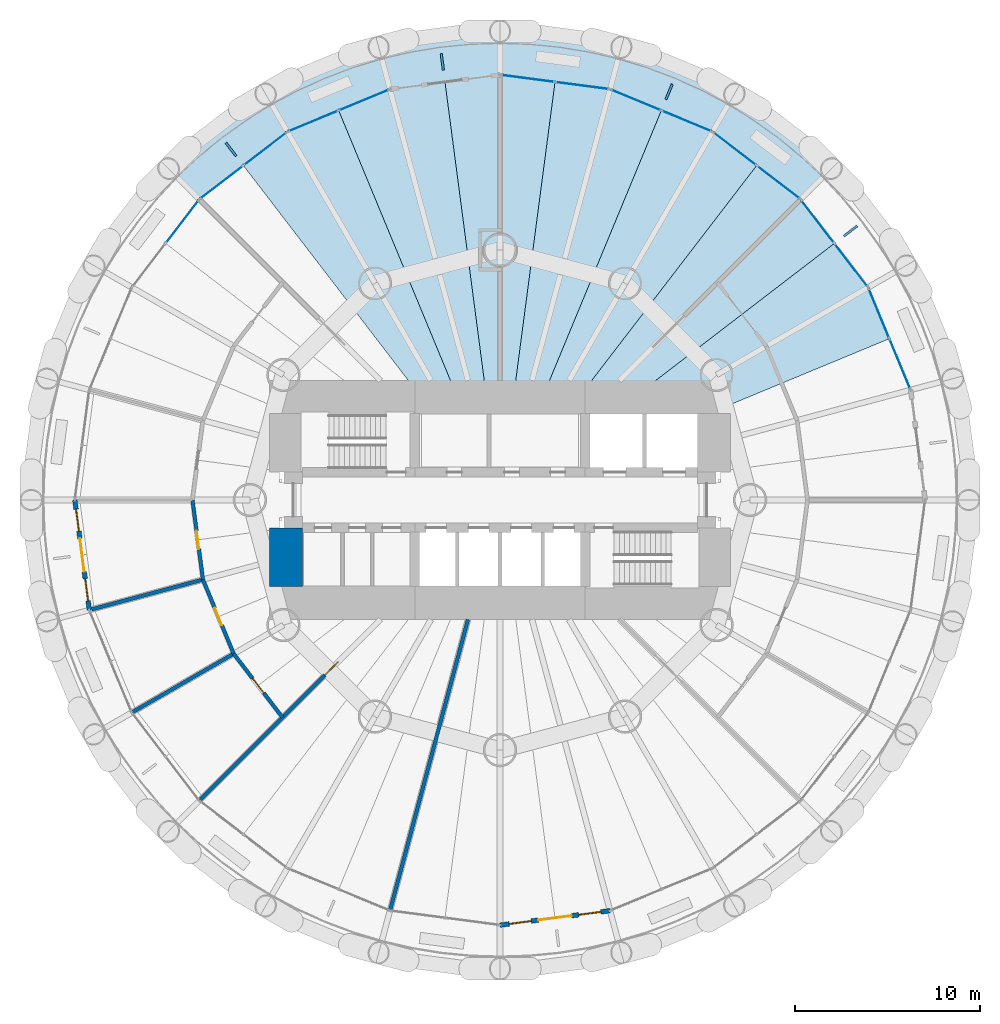
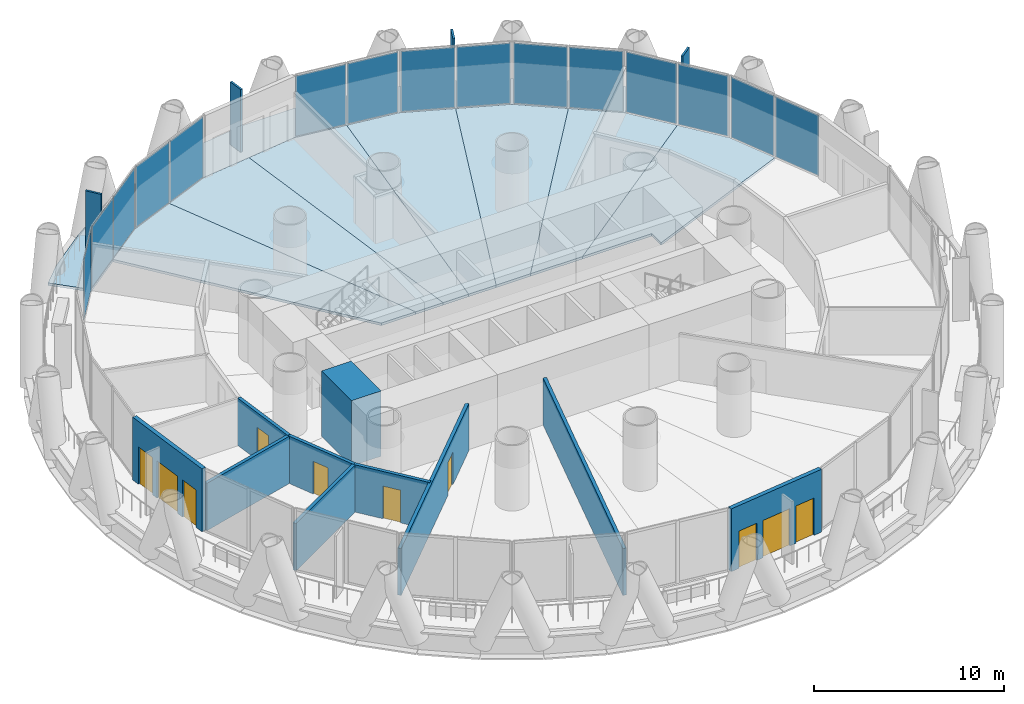
# One storey, part 9 of 16: 19 plates, 10 walls, 8 slabs, 6 doors, 4 windows, 10 openings, 8 elements without a shape of their own.
"""IFC4 building model written with IfcOpenShell, lengths in metres."""

from ifc_helpers import new_model, si_unit, direction, frame, frame_2d, origin, origin_2d, place, context, subcontext, project, spatial, polyline, rectangle, outline, extrude, material, layer, layer_set, type_object, element, fill, aggregate, save


model = new_model("IFC4")

# Units and contexts
model_context = context("Model", 3, precision=1e-05, world=origin(), true_north=direction((0.0, 1.0)))
body_context = subcontext(model_context, "Body", "Model", "MODEL_VIEW")
ifc_project = project(units=[si_unit("LENGTHUNIT", "METRE"), si_unit("AREAUNIT", "SQUARE_METRE"), si_unit("VOLUMEUNIT", "CUBIC_METRE"), si_unit("PLANEANGLEUNIT", "RADIAN"), si_unit("MASSUNIT", "GRAM", prefix="KILO")], contexts=[model_context])

# Site, building, storey
site_placement = place(None, origin())
site = spatial("IfcSite", under=ifc_project, at=site_placement, CompositionType="ELEMENT")
building_placement = place(site_placement, origin())
building = spatial("IfcBuilding", under=site, at=building_placement, Name="Qaws Media Tower", CompositionType="ELEMENT")
storey_placement = place(building_placement, frame((0.0, 0.0, 105.800048828125)))
storey = spatial("IfcBuildingStorey", under=building, at=storey_placement, Name="L23", CompositionType="ELEMENT", Elevation=105.800048828125)

# Slabs
ifc_material_1 = material(Name="Concrete C35/45", Category="concrete")
ifc_layer_1 = layer(ifc_material_1, 0.159912109375)
ifc_layer_set_1 = layer_set([ifc_layer_1], Name="Composite balcony slab 160")
slab_type_1 = type_object("IfcSlabType", Name="Composite balcony slab 160", PredefinedType="FLOOR", material=ifc_layer_set_1)
slab_1_placement = place(storey_placement, frame((0.0, 0.0, -0.16015625)))
element("IfcSlab", 1, at=slab_1_placement, inside=storey, type_object=slab_type_1, Name="S2 balcony slab L23 R04 to R10, movement joints on R04 and R10", PredefinedType="FLOOR", context=body_context, shape_type="SweptSolid", body=[
    extrude(outline(polyline([(43.28564453125, 69.05908203125), (45.916259765625, 71.077880859375), (48.7880859375, 72.735595703125), (51.8515625, 74.004638671875), (55.054443359375, 74.86279296875), (58.342041015625, 75.295654296875), (61.657958984375, 75.295654296875), (64.945556640625, 74.86279296875), (68.1484375, 74.004638671875), (71.2119140625, 72.735595703125), (74.083740234375, 71.077880859375), (76.71435546875, 69.05908203125), (77.88671875, 67.88671875), (76.22802734375, 66.22802734375), (71.47509765625, 69.875244140625), (65.93994140625, 72.16796875), (60.0, 72.949951171875), (54.06005859375, 72.16796875), (48.52490234375, 69.875244140625), (43.77197265625, 66.22802734375), (42.11328125, 67.88671875), (43.28564453125, 69.05908203125)])), origin(), (0.0, 0.0, 1.0), 0.16015625),
])
ifc_material_2 = material(Name="Concrete C35/45", Category="concrete")
ifc_layer_2 = layer(ifc_material_2, 0.159912109375)
ifc_layer_set_2 = layer_set([ifc_layer_2], Name="Composite floor slab 160")
slab_type_2 = type_object("IfcSlabType", Name="Composite floor slab 160", PredefinedType="FLOOR", material=ifc_layer_set_2)
slab_2_placement = place(storey_placement, frame((0.0, 0.0, -0.16015625)))
element("IfcSlab", 2, at=slab_2_placement, inside=storey, type_object=slab_type_2, Name="S1 floor panel L23 on R03", PredefinedType="FLOOR", context=body_context, shape_type="SweptSolid", body=[
    extrude(outline(polyline([(79.875244140625, 61.47509765625), (81.021484375, 58.70751953125), (71.909912109375, 54.933349609375), (71.909912109375, 55.909912109375), (67.7021484375, 55.909912109375), (78.0517578125, 63.8515625), (79.875244140625, 61.47509765625)])), origin(), (0.0, 0.0, 1.0), 0.16015625),
])
slab_3_placement = place(storey_placement, frame((0.0, 0.0, -0.16015625)))
element("IfcSlab", 3, at=slab_3_placement, inside=storey, type_object=slab_type_2, Name="S1 floor panel L23 on R04", PredefinedType="FLOOR", context=body_context, shape_type="SweptSolid", body=[
    extrude(outline(polyline([(76.22802734375, 66.22802734375), (78.0517578125, 63.8515625), (67.7021484375, 55.909912109375), (64.534912109375, 55.909912109375), (73.8515625, 68.0517578125), (76.22802734375, 66.22802734375)])), origin(), (0.0, 0.0, 1.0), 0.16015625),
])
slab_4_placement = place(storey_placement, frame((0.0, 0.0, -0.16015625)))
element("IfcSlab", 4, at=slab_4_placement, inside=storey, type_object=slab_type_2, Name="S1 floor panel L23 on R05", PredefinedType="FLOOR", context=body_context, shape_type="SweptSolid", body=[
    extrude(outline(polyline([(71.47509765625, 69.875244140625), (73.8515625, 68.0517578125), (64.534912109375, 55.909912109375), (62.447998046875, 55.909912109375), (68.70751953125, 71.021484375), (71.47509765625, 69.875244140625)])), origin(), (0.0, 0.0, 1.0), 0.16015625),
])
slab_5_placement = place(storey_placement, frame((0.0, 0.0, -0.16015625)))
element("IfcSlab", 5, at=slab_5_placement, inside=storey, type_object=slab_type_2, Name="S1 floor panel L23 on R06", PredefinedType="FLOOR", context=body_context, shape_type="SweptSolid", body=[
    extrude(outline(polyline([(65.93994140625, 72.16796875), (68.70751953125, 71.021484375), (62.447998046875, 55.909912109375), (60.778076171875, 55.909912109375), (62.969970703125, 72.55908203125), (65.93994140625, 72.16796875)])), origin(), (0.0, 0.0, 1.0), 0.16015625),
])
slab_6_placement = place(storey_placement, frame((0.0, 0.0, -0.16015625)))
element("IfcSlab", 6, at=slab_6_placement, inside=storey, type_object=slab_type_2, Name="S1 floor panel L23 on R07", PredefinedType="FLOOR", context=body_context, shape_type="SweptSolid", body=[
    extrude(outline(polyline([(60.0, 72.949951171875), (62.969970703125, 72.55908203125), (60.778076171875, 55.909912109375), (59.221923828125, 55.909912109375), (57.030029296875, 72.55908203125), (60.0, 72.949951171875)])), origin(), (0.0, 0.0, 1.0), 0.16015625),
])
slab_7_placement = place(storey_placement, frame((0.0, 0.0, -0.16015625)))
element("IfcSlab", 7, at=slab_7_placement, inside=storey, type_object=slab_type_2, Name="S1 floor panel L23 on R08", PredefinedType="FLOOR", context=body_context, shape_type="SweptSolid", body=[
    extrude(outline(polyline([(54.06005859375, 72.16796875), (57.030029296875, 72.55908203125), (59.221923828125, 55.909912109375), (57.552001953125, 55.909912109375), (51.29248046875, 71.021484375), (54.06005859375, 72.16796875)])), origin(), (0.0, 0.0, 1.0), 0.16015625),
])
slab_8_placement = place(storey_placement, frame((0.0, 0.0, -0.16015625)))
element("IfcSlab", 8, at=slab_8_placement, inside=storey, type_object=slab_type_2, Name="S1 floor panel L23 on R09", PredefinedType="FLOOR", context=body_context, shape_type="SweptSolid", body=[
    extrude(outline(polyline([(48.52490234375, 69.875244140625), (51.29248046875, 71.021484375), (57.552001953125, 55.909912109375), (55.465087890625, 55.909912109375), (46.1484375, 68.0517578125), (48.52490234375, 69.875244140625)])), origin(), (0.0, 0.0, 1.0), 0.16015625),
])

# Curtain wall, plates
ifc_material_3 = material(Name="Aluminium and clear glass", Category="aluminium")
curtain_wall_type = type_object("IfcCurtainWallType", Name="Unitised curtain wall CW-B", PredefinedType="NOTDEFINED", material=ifc_material_3)
curtain_wall_1_placement = place(storey_placement, origin())
curtain_wall_1 = element("IfcCurtainWall", 9, at=curtain_wall_1_placement, inside=storey, type_object=curtain_wall_type, Name="CWB curtain wall L23-02", PredefinedType="NOTDEFINED")
ifc_material_4 = material(Name="Clear laminated double glazing", Category="glass")
ifc_layer_3 = layer(ifc_material_4, 0.031982421875)
ifc_layer_set_3 = layer_set([ifc_layer_3], Name="Curtain wall glass unit 32")
plate_type_1 = type_object("IfcPlateType", Name="Curtain wall glass unit 32", PredefinedType="CURTAIN_PANEL", material=ifc_layer_set_3)
plate_1_placement = place(storey_placement, frame((81.587158203125, 57.342041015625, 0.080078125), z_axis=(0.0, 0.0, 1.0), x_axis=(-0.382683470581, 0.923879516682, 0.0)))
plate_1 = element("IfcPlate", 10, at=plate_1_placement, type_object=plate_type_1, Name="CWB panel 1.1", PredefinedType="CURTAIN_PANEL", context=body_context, shape_type="SweptSolid", body=[
    extrude(rectangle(XDim=2.87548828125, YDim=0.031982421875, at=origin_2d()), origin(), (0.0, 0.0, 1.0), 3.8798828125),
])
plate_2_placement = place(storey_placement, frame((80.4560546875, 60.07275390625, 0.080078125), z_axis=(0.0, 0.0, 1.0), x_axis=(-0.382683470581, 0.923879516682, 0.0)))
plate_2 = element("IfcPlate", 11, at=plate_2_placement, type_object=plate_type_1, Name="CWB panel 2.1", PredefinedType="CURTAIN_PANEL", context=body_context, shape_type="SweptSolid", body=[
    extrude(rectangle(XDim=2.87548828125, YDim=0.031982421875, at=origin_2d()), origin(), (0.0, 0.0, 1.0), 3.8798828125),
])
aggregate(curtain_wall_1, [plate_1, plate_2])

curtain_wall_2_placement = place(storey_placement, origin())
curtain_wall_2 = element("IfcCurtainWall", 12, at=curtain_wall_2_placement, inside=storey, type_object=curtain_wall_type, Name="CWB curtain wall L23-03", PredefinedType="NOTDEFINED")
plate_3_placement = place(storey_placement, frame((78.951416015625, 62.67919921875, 0.080078125), z_axis=(0.0, 0.0, 1.0), x_axis=(-0.608761358211, 0.793353394616, 0.0)))
plate_3 = element("IfcPlate", 13, at=plate_3_placement, type_object=plate_type_1, Name="CWB panel 1.1", PredefinedType="CURTAIN_PANEL", context=body_context, shape_type="SweptSolid", body=[
    extrude(rectangle(XDim=2.87548828125, YDim=0.031982421875, at=origin_2d()), origin(), (0.0, 0.0, 1.0), 3.8798828125),
])
plate_4_placement = place(storey_placement, frame((77.152099609375, 65.02392578125, 0.080078125), z_axis=(0.0, 0.0, 1.0), x_axis=(-0.608761358211, 0.793353394616, 0.0)))
plate_4 = element("IfcPlate", 14, at=plate_4_placement, type_object=plate_type_1, Name="CWB panel 2.1", PredefinedType="CURTAIN_PANEL", context=body_context, shape_type="SweptSolid", body=[
    extrude(rectangle(XDim=2.87548828125, YDim=0.031982421875, at=origin_2d()), origin(), (0.0, 0.0, 1.0), 3.8798828125),
])
aggregate(curtain_wall_2, [plate_3, plate_4])

curtain_wall_3_placement = place(storey_placement, origin())
curtain_wall_3 = element("IfcCurtainWall", 15, at=curtain_wall_3_placement, inside=storey, type_object=curtain_wall_type, Name="CWB curtain wall L23-04", PredefinedType="NOTDEFINED")
plate_5_placement = place(storey_placement, frame((75.02392578125, 67.152099609375, 0.080078125), z_axis=(0.0, 0.0, 1.0), x_axis=(-0.793353394616, 0.608761358211, 0.0)))
plate_5 = element("IfcPlate", 16, at=plate_5_placement, type_object=plate_type_1, Name="CWB panel 1.1", PredefinedType="CURTAIN_PANEL", context=body_context, shape_type="SweptSolid", body=[
    extrude(rectangle(XDim=2.87548828125, YDim=0.031982421875, at=origin_2d()), origin(), (0.0, 0.0, 1.0), 3.8798828125),
])
plate_6_placement = place(storey_placement, frame((72.67919921875, 68.951416015625, 0.080078125), z_axis=(0.0, 0.0, 1.0), x_axis=(-0.793353394616, 0.608761358211, 0.0)))
plate_6 = element("IfcPlate", 17, at=plate_6_placement, type_object=plate_type_1, Name="CWB panel 2.1", PredefinedType="CURTAIN_PANEL", context=body_context, shape_type="SweptSolid", body=[
    extrude(rectangle(XDim=2.87548828125, YDim=0.031982421875, at=origin_2d()), origin(), (0.0, 0.0, 1.0), 3.8798828125),
])
aggregate(curtain_wall_3, [plate_5, plate_6])

curtain_wall_4_placement = place(storey_placement, origin())
curtain_wall_4 = element("IfcCurtainWall", 18, at=curtain_wall_4_placement, inside=storey, type_object=curtain_wall_type, Name="CWB curtain wall L23-05", PredefinedType="NOTDEFINED")
plate_7_placement = place(storey_placement, frame((70.07275390625, 70.4560546875, 0.080078125), z_axis=(0.0, 0.0, 1.0), x_axis=(-0.923879516682, 0.382683470581, 0.0)))
plate_7 = element("IfcPlate", 19, at=plate_7_placement, type_object=plate_type_1, Name="CWB panel 1.1", PredefinedType="CURTAIN_PANEL", context=body_context, shape_type="SweptSolid", body=[
    extrude(rectangle(XDim=2.87548828125, YDim=0.031982421875, at=origin_2d()), origin(), (0.0, 0.0, 1.0), 3.8798828125),
])
plate_8_placement = place(storey_placement, frame((67.342041015625, 71.587158203125, 0.080078125), z_axis=(0.0, 0.0, 1.0), x_axis=(-0.923879516682, 0.382683470581, 0.0)))
plate_8 = element("IfcPlate", 20, at=plate_8_placement, type_object=plate_type_1, Name="CWB panel 2.1", PredefinedType="CURTAIN_PANEL", context=body_context, shape_type="SweptSolid", body=[
    extrude(rectangle(XDim=2.87548828125, YDim=0.031982421875, at=origin_2d()), origin(), (0.0, 0.0, 1.0), 3.8798828125),
])
aggregate(curtain_wall_4, [plate_7, plate_8])

curtain_wall_5_placement = place(storey_placement, origin())
curtain_wall_5 = element("IfcCurtainWall", 21, at=curtain_wall_5_placement, inside=storey, type_object=curtain_wall_type, Name="CWB curtain wall L23-06", PredefinedType="NOTDEFINED")
plate_9_placement = place(storey_placement, frame((64.43505859375, 72.3662109375, 0.080078125), z_axis=(0.0, 0.0, 1.0), x_axis=(-0.991444867324, 0.130526147022, 0.0)))
plate_9 = element("IfcPlate", 22, at=plate_9_placement, type_object=plate_type_1, Name="CWB panel 1.1", PredefinedType="CURTAIN_PANEL", context=body_context, shape_type="SweptSolid", body=[
    extrude(rectangle(XDim=2.87548828125, YDim=0.031982421875, at=origin_2d()), origin(), (0.0, 0.0, 1.0), 3.8798828125),
])
plate_10_placement = place(storey_placement, frame((61.5048828125, 72.751953125, 0.080078125), z_axis=(0.0, 0.0, 1.0), x_axis=(-0.991444867324, 0.130526147022, 0.0)))
plate_10 = element("IfcPlate", 23, at=plate_10_placement, type_object=plate_type_1, Name="CWB panel 2.1", PredefinedType="CURTAIN_PANEL", context=body_context, shape_type="SweptSolid", body=[
    extrude(rectangle(XDim=2.87548828125, YDim=0.031982421875, at=origin_2d()), origin(), (0.0, 0.0, 1.0), 3.8798828125),
])
aggregate(curtain_wall_5, [plate_9, plate_10])

curtain_wall_6_placement = place(storey_placement, origin())
curtain_wall_6 = element("IfcCurtainWall", 24, at=curtain_wall_6_placement, inside=storey, type_object=curtain_wall_type, Name="CWB curtain wall L23-08", PredefinedType="NOTDEFINED")
plate_11_placement = place(storey_placement, frame((52.657958984375, 71.587158203125, 0.080078125), z_axis=(0.0, 0.0, 1.0), x_axis=(-0.923879516682, -0.382683470581, 0.0)))
plate_11 = element("IfcPlate", 25, at=plate_11_placement, type_object=plate_type_1, Name="CWB panel 1.1", PredefinedType="CURTAIN_PANEL", context=body_context, shape_type="SweptSolid", body=[
    extrude(rectangle(XDim=2.87548828125, YDim=0.031982421875, at=origin_2d()), origin(), (0.0, 0.0, 1.0), 3.8798828125),
])
plate_12_placement = place(storey_placement, frame((49.92724609375, 70.4560546875, 0.080078125), z_axis=(0.0, 0.0, 1.0), x_axis=(-0.923879516682, -0.382683470581, 0.0)))
plate_12 = element("IfcPlate", 26, at=plate_12_placement, type_object=plate_type_1, Name="CWB panel 2.1", PredefinedType="CURTAIN_PANEL", context=body_context, shape_type="SweptSolid", body=[
    extrude(rectangle(XDim=2.87548828125, YDim=0.031982421875, at=origin_2d()), origin(), (0.0, 0.0, 1.0), 3.8798828125),
])
aggregate(curtain_wall_6, [plate_11, plate_12])

curtain_wall_7_placement = place(storey_placement, origin())
curtain_wall_7 = element("IfcCurtainWall", 27, at=curtain_wall_7_placement, inside=storey, type_object=curtain_wall_type, Name="CWB curtain wall L23-09", PredefinedType="NOTDEFINED")
plate_13_placement = place(storey_placement, frame((47.32080078125, 68.951416015625, 0.080078125), z_axis=(0.0, 0.0, 1.0), x_axis=(-0.793353394616, -0.608761358211, 0.0)))
plate_13 = element("IfcPlate", 28, at=plate_13_placement, type_object=plate_type_1, Name="CWB panel 1.1", PredefinedType="CURTAIN_PANEL", context=body_context, shape_type="SweptSolid", body=[
    extrude(rectangle(XDim=2.87548828125, YDim=0.031982421875, at=origin_2d()), origin(), (0.0, 0.0, 1.0), 3.8798828125),
])
plate_14_placement = place(storey_placement, frame((44.97607421875, 67.152099609375, 0.080078125), z_axis=(0.0, 0.0, 1.0), x_axis=(-0.793353394616, -0.608761358211, 0.0)))
plate_14 = element("IfcPlate", 29, at=plate_14_placement, type_object=plate_type_1, Name="CWB panel 2.1", PredefinedType="CURTAIN_PANEL", context=body_context, shape_type="SweptSolid", body=[
    extrude(rectangle(XDim=2.87548828125, YDim=0.031982421875, at=origin_2d()), origin(), (0.0, 0.0, 1.0), 3.8798828125),
])
aggregate(curtain_wall_7, [plate_13, plate_14])

# Curtain wall, plate
curtain_wall_8_placement = place(storey_placement, origin())
curtain_wall_8 = element("IfcCurtainWall", 30, at=curtain_wall_8_placement, inside=storey, type_object=curtain_wall_type, Name="CWB curtain wall L23-10", PredefinedType="NOTDEFINED")
plate_15_placement = place(storey_placement, frame((42.847900390625, 65.02392578125, 0.080078125), z_axis=(0.0, 0.0, 1.0), x_axis=(-0.608761358211, -0.793353394616, 0.0)))
plate_15 = element("IfcPlate", 31, at=plate_15_placement, type_object=plate_type_1, Name="CWB panel 1.1", PredefinedType="CURTAIN_PANEL", context=body_context, shape_type="SweptSolid", body=[
    extrude(rectangle(XDim=2.87548828125, YDim=0.031982421875, at=origin_2d()), origin(), (0.0, 0.0, 1.0), 3.8798828125),
])
aggregate(curtain_wall_8, [plate_15])

# Plates
ifc_material_5 = material(Name="Precast concrete screen fin", Category="concrete")
ifc_layer_4 = layer(ifc_material_5, 0.1201171875)
ifc_layer_set_4 = layer_set([ifc_layer_4], Name="Screen fin 120x900")
plate_type_2 = type_object("IfcPlateType", Name="Screen fin 120x900", PredefinedType="USERDEFINED", material=ifc_layer_set_4)
for number, where, z_axis, x_axis, name in (
    (32, (78.92138671875, 64.51904296875, 0.0), (0.0, 0.0, 1.0), (0.793353340291, 0.608761429009, 0.0), "SCR1 screen fin L23-02"),
    (33, (69.126953125, 72.034423828125, 0.0), (0.0, 0.0, 1.0), (0.382683432365, 0.923879532511, 0.0), "SCR1 screen fin L23-03"),
    (34, (56.886962890625, 73.64599609375, 0.0), (0.0, 0.0, 1.0), (-0.13052619222, 0.991444861374, 0.0), "SCR1 screen fin L23-04"),
    (35, (45.48095703125, 68.92138671875, 0.0), (0.0, 0.0, 1.0), (-0.608761429009, 0.793353340291, 0.0), "SCR1 screen fin L23-05"),
):
    element("IfcPlate", number, at=place(storey_placement, frame(where, z_axis=z_axis, x_axis=x_axis)), inside=storey, type_object=plate_type_2, Name=name, ObjectType="SCREEN", PredefinedType="USERDEFINED", context=body_context, shape_type="SweptSolid", body=[
        extrude(rectangle(XDim=0.89990234375, YDim=0.1201171875, at=origin_2d()), origin(), (0.0, 0.0, 1.0), 4.0400390625),
    ])

# Wall, openings, door, windows
ifc_material_6 = material(Name="Precast concrete, exposed finish", Category="concrete")
ifc_layer_5 = layer(ifc_material_6, 0.25)
ifc_layer_set_5 = layer_set([ifc_layer_5], Name="Balcony door wall 250")
wall_type_1 = type_object("IfcWallType", Name="Balcony door wall 250", PredefinedType="SOLIDWALL", material=ifc_layer_set_5)
wall_1_placement = place(storey_placement, frame((37.050048828125, 50.0, 0.0), z_axis=(0.0, 0.0, 1.0), x_axis=(0.130521975708, -0.991445416479, 0.0)))
wall_1 = element("IfcWall", 36, at=wall_1_placement, inside=storey, type_object=wall_type_1, Name="W166 EW1 balcony door wall L23-13", PredefinedType="SOLIDWALL", context=body_context, shape_type="SweptSolid", body=[
    extrude(rectangle(XDim=5.9912109375, YDim=0.25, at=frame_2d((2.99560546875, 0.0))), origin(), (0.0, 0.0, 1.0), 4.0400390625),
])
opening_1_placement = place(wall_1_placement, frame((2.095458984375, 0.0, 0.0)))
opening_1 = element("IfcOpeningElement", 37, at=opening_1_placement, cuts=wall_1, Name="Opening D7", PredefinedType="OPENING", context=body_context, shape_type="SweptSolid", body=[
    extrude(rectangle(XDim=1.800048828125, YDim=2.39990234375, at=frame_2d((0.89990234375, 1.199951171875))), frame((0.0, 0.135009765625, 0.0), z_axis=(0.0, -1.0, 0.0), x_axis=(1.0, 0.0, 0.0)), (0.0, 0.0, 1.0), 0.27001953125),
])
opening_2_placement = place(wall_1_placement, frame((0.49560546875, 0.0, 0.0)))
opening_2 = element("IfcOpeningElement", 38, at=opening_2_placement, cuts=wall_1, Name="Opening W1", PredefinedType="OPENING", context=body_context, shape_type="SweptSolid", body=[
    extrude(rectangle(XDim=1.199951171875, YDim=2.39990234375, at=frame_2d((0.60009765625, 1.199951171875))), frame((0.0, 0.135009765625, 0.0), z_axis=(0.0, -1.0, 0.0), x_axis=(1.0, 0.0, 0.0)), (0.0, 0.0, 1.0), 0.27001953125),
])
opening_3_placement = place(wall_1_placement, frame((4.295654296875, 0.0, 0.0)))
opening_3 = element("IfcOpeningElement", 39, at=opening_3_placement, cuts=wall_1, Name="Opening W1", PredefinedType="OPENING", context=body_context, shape_type="SweptSolid", body=[
    extrude(rectangle(XDim=1.199951171875, YDim=2.39990234375, at=frame_2d((0.60009765625, 1.199951171875))), frame((0.0, 0.135009765625, 0.0), z_axis=(0.0, -1.0, 0.0), x_axis=(1.0, 0.0, 0.0)), (0.0, 0.0, 1.0), 0.27001953125),
])
ifc_material_7 = material(Name="Aluminium and clear glass", Category="aluminium")
door_type_1 = type_object("IfcDoorType", Name="Balcony door pair 1800", OperationType="DOUBLE_DOOR_SLIDING", PredefinedType="DOOR", material=ifc_material_7)
door_1_placement = place(opening_1_placement, origin())
door_1 = element("IfcDoor", 40, at=door_1_placement, inside=storey, type_object=door_type_1, Name="D7 balcony door L23-13 in wall W166", OperationType="DOUBLE_DOOR_SLIDING", OverallHeight=2.39990234375, OverallWidth=1.800048828125, PredefinedType="DOOR", context=body_context, shape_type="SweptSolid", body=[
    extrude(rectangle(XDim=1.800048828125, YDim=2.39990234375, at=frame_2d((0.89990234375, 1.199951171875))), frame((0.0, 0.02490234375, 0.0), z_axis=(0.0, -1.0, 0.0), x_axis=(1.0, 0.0, 0.0)), (0.0, 0.0, 1.0), 0.050048828125),
])
fill(opening_1, door_1)
ifc_material_8 = material(Name="Aluminium and clear glass", Category="aluminium")
window_type = type_object("IfcWindowType", Name="Balcony side window 1200", PartitioningType="SINGLE_PANEL", PredefinedType="WINDOW", material=ifc_material_8)
window_1_placement = place(opening_2_placement, origin())
window_1 = element("IfcWindow", 41, at=window_1_placement, inside=storey, type_object=window_type, Name="W1 balcony side light L23-13L", OverallHeight=2.39990234375, OverallWidth=1.199951171875, PartitioningType="SINGLE_PANEL", PredefinedType="WINDOW", context=body_context, shape_type="SweptSolid", body=[
    extrude(rectangle(XDim=1.199951171875, YDim=2.39990234375, at=frame_2d((0.60009765625, 1.199951171875))), frame((0.0, 0.030029296875, 0.0), z_axis=(0.0, -1.0, 0.0), x_axis=(1.0, 0.0, 0.0)), (0.0, 0.0, 1.0), 0.06005859375),
])
fill(opening_2, window_1)
window_2_placement = place(opening_3_placement, origin())
window_2 = element("IfcWindow", 42, at=window_2_placement, inside=storey, type_object=window_type, Name="W1 balcony side light L23-13R", OverallHeight=2.39990234375, OverallWidth=1.199951171875, PartitioningType="SINGLE_PANEL", PredefinedType="WINDOW", context=body_context, shape_type="SweptSolid", body=[
    extrude(rectangle(XDim=1.199951171875, YDim=2.39990234375, at=frame_2d((0.60009765625, 1.199951171875))), frame((0.0, 0.030029296875, 0.0), z_axis=(0.0, -1.0, 0.0), x_axis=(1.0, 0.0, 0.0)), (0.0, 0.0, 1.0), 0.06005859375),
])
fill(opening_3, window_2)

wall_2_placement = place(storey_placement, frame((60.0, 27.050048828125, 0.0), z_axis=(0.0, 0.0, 1.0), x_axis=(0.991445416479, 0.130521975708, 0.0)))
wall_2 = element("IfcWall", 43, at=wall_2_placement, inside=storey, type_object=wall_type_1, Name="W167 EW1 balcony door wall L23-19", PredefinedType="SOLIDWALL", context=body_context, shape_type="SweptSolid", body=[
    extrude(rectangle(XDim=5.9912109375, YDim=0.25, at=frame_2d((2.99560546875, 0.0))), origin(), (0.0, 0.0, 1.0), 4.0400390625),
])
opening_4_placement = place(wall_2_placement, frame((2.095458984375, 0.0, 0.0)))
opening_4 = element("IfcOpeningElement", 44, at=opening_4_placement, cuts=wall_2, Name="Opening D7", PredefinedType="OPENING", context=body_context, shape_type="SweptSolid", body=[
    extrude(rectangle(XDim=1.800048828125, YDim=2.39990234375, at=frame_2d((0.89990234375, 1.199951171875))), frame((0.0, 0.135009765625, 0.0), z_axis=(0.0, -1.0, 0.0), x_axis=(1.0, 0.0, 0.0)), (0.0, 0.0, 1.0), 0.27001953125),
])
opening_5_placement = place(wall_2_placement, frame((0.49560546875, 0.0, 0.0)))
opening_5 = element("IfcOpeningElement", 45, at=opening_5_placement, cuts=wall_2, Name="Opening W1", PredefinedType="OPENING", context=body_context, shape_type="SweptSolid", body=[
    extrude(rectangle(XDim=1.199951171875, YDim=2.39990234375, at=frame_2d((0.60009765625, 1.199951171875))), frame((0.0, 0.135009765625, 0.0), z_axis=(0.0, -1.0, 0.0), x_axis=(1.0, 0.0, 0.0)), (0.0, 0.0, 1.0), 0.27001953125),
])
opening_6_placement = place(wall_2_placement, frame((4.295654296875, 0.0, 0.0)))
opening_6 = element("IfcOpeningElement", 46, at=opening_6_placement, cuts=wall_2, Name="Opening W1", PredefinedType="OPENING", context=body_context, shape_type="SweptSolid", body=[
    extrude(rectangle(XDim=1.199951171875, YDim=2.39990234375, at=frame_2d((0.60009765625, 1.199951171875))), frame((0.0, 0.135009765625, 0.0), z_axis=(0.0, -1.0, 0.0), x_axis=(1.0, 0.0, 0.0)), (0.0, 0.0, 1.0), 0.27001953125),
])
door_2_placement = place(opening_4_placement, origin())
door_2 = element("IfcDoor", 47, at=door_2_placement, inside=storey, type_object=door_type_1, Name="D7 balcony door L23-19 in wall W167", OperationType="DOUBLE_DOOR_SLIDING", OverallHeight=2.39990234375, OverallWidth=1.800048828125, PredefinedType="DOOR", context=body_context, shape_type="SweptSolid", body=[
    extrude(rectangle(XDim=1.800048828125, YDim=2.39990234375, at=frame_2d((0.89990234375, 1.199951171875))), frame((0.0, 0.02490234375, 0.0), z_axis=(0.0, -1.0, 0.0), x_axis=(1.0, 0.0, 0.0)), (0.0, 0.0, 1.0), 0.050048828125),
])
fill(opening_4, door_2)
window_3_placement = place(opening_5_placement, origin())
window_3 = element("IfcWindow", 48, at=window_3_placement, inside=storey, type_object=window_type, Name="W1 balcony side light L23-19L", OverallHeight=2.39990234375, OverallWidth=1.199951171875, PartitioningType="SINGLE_PANEL", PredefinedType="WINDOW", context=body_context, shape_type="SweptSolid", body=[
    extrude(rectangle(XDim=1.199951171875, YDim=2.39990234375, at=frame_2d((0.60009765625, 1.199951171875))), frame((0.0, 0.030029296875, 0.0), z_axis=(0.0, -1.0, 0.0), x_axis=(1.0, 0.0, 0.0)), (0.0, 0.0, 1.0), 0.06005859375),
])
fill(opening_5, window_3)
window_4_placement = place(opening_6_placement, origin())
window_4 = element("IfcWindow", 49, at=window_4_placement, inside=storey, type_object=window_type, Name="W1 balcony side light L23-19R", OverallHeight=2.39990234375, OverallWidth=1.199951171875, PartitioningType="SINGLE_PANEL", PredefinedType="WINDOW", context=body_context, shape_type="SweptSolid", body=[
    extrude(rectangle(XDim=1.199951171875, YDim=2.39990234375, at=frame_2d((0.60009765625, 1.199951171875))), frame((0.0, 0.030029296875, 0.0), z_axis=(0.0, -1.0, 0.0), x_axis=(1.0, 0.0, 0.0)), (0.0, 0.0, 1.0), 0.06005859375),
])
fill(opening_6, window_4)

# Wall
ifc_material_9 = material(Name="Concrete C60/75", Category="concrete")
ifc_layer_6 = layer(ifc_material_9, 1.800048828125)
ifc_layer_set_6 = layer_set([ifc_layer_6], Name="Core wall 1800")
wall_type_2 = type_object("IfcWallType", Name="Core wall 1800", PredefinedType="SHEAR", material=ifc_layer_set_6)
wall_3_placement = place(storey_placement, frame((48.449951171875, 45.330078125, 0.0), z_axis=(0.0, 0.0, 1.0), x_axis=(0.0, 1.0, 0.0)))
element("IfcWall", 50, at=wall_3_placement, inside=storey, type_object=wall_type_2, Name="W418 SW11 core wall WS L23", PredefinedType="SHEAR", context=body_context, shape_type="SweptSolid", body=[
    extrude(rectangle(XDim=3.169921875, YDim=1.800048828125, at=frame_2d((1.5849609375, 0.0))), origin(), (0.0, 0.0, 1.0), 4.199951171875),
])

# Wall, opening, door
ifc_material_10 = material(Name="Gypsum board on galvanised metal studs, acoustic double stud, deflection head", Category="gypsum")
ifc_layer_7 = layer(ifc_material_10, 0.199951171875)
ifc_layer_set_7 = layer_set([ifc_layer_7], Name="Room partition 200")
wall_type_3 = type_object("IfcWallType", Name="Room partition 200", PredefinedType="PARTITIONING", material=ifc_layer_set_7)
wall_4_placement = place(storey_placement, frame((48.261962890625, 38.261962890625, 0.0), z_axis=(0.0, 0.0, 1.0), x_axis=(-0.60874374674, 0.79336690806, 0.0)))
wall_4 = element("IfcWall", 51, at=wall_4_placement, inside=storey, type_object=wall_type_3, Name="W993 IW3 partition L23", PredefinedType="PARTITIONING", context=body_context, shape_type="SweptSolid", body=[
    extrude(rectangle(XDim=4.33349609375, YDim=0.199951171875, at=frame_2d((2.166748046875, 0.0))), origin(), (0.0, 0.0, 1.0), 3.0400390625),
])
opening_7_placement = place(wall_4_placement, frame((1.666748046875, 0.0, 0.0)))
opening_7 = element("IfcOpeningElement", 52, at=opening_7_placement, cuts=wall_4, Name="Opening D5", PredefinedType="OPENING", context=body_context, shape_type="SweptSolid", body=[
    extrude(rectangle(XDim=1.0, YDim=2.10009765625, at=frame_2d((0.5, 1.050048828125))), frame((0.0, 0.10986328125, 0.0), z_axis=(0.0, -1.0, 0.0), x_axis=(1.0, 0.0, 0.0)), (0.0, 0.0, 1.0), 0.219970703125),
])
ifc_material_11 = material(Name="Timber veneered, acoustic seal", Category="wood")
door_type_2 = type_object("IfcDoorType", Name="Room door 1000", OperationType="SINGLE_SWING_LEFT", PredefinedType="DOOR", material=ifc_material_11)
door_3_placement = place(opening_7_placement, origin())
door_3 = element("IfcDoor", 53, at=door_3_placement, inside=storey, type_object=door_type_2, Name="D5 Ablutions (women) door L23 in wall W993", OperationType="SINGLE_SWING_LEFT", OverallHeight=2.10009765625, OverallWidth=1.0, PredefinedType="DOOR", context=body_context, shape_type="SweptSolid", body=[
    extrude(rectangle(XDim=1.0, YDim=2.10009765625, at=frame_2d((0.5, 1.050048828125))), frame((0.0, 0.02490234375, 0.0), z_axis=(0.0, -1.0, 0.0), x_axis=(1.0, 0.0, 0.0)), (0.0, 0.0, 1.0), 0.050048828125),
])
fill(opening_7, door_3)

wall_5_placement = place(storey_placement, frame((45.6240234375, 41.699951171875, 0.0), z_axis=(0.0, 0.0, 1.0), x_axis=(-0.382698425325, 0.923873322082, 0.0)))
wall_5 = element("IfcWall", 54, at=wall_5_placement, inside=storey, type_object=wall_type_3, Name="W991 IW3 partition L23", PredefinedType="PARTITIONING", context=body_context, shape_type="SweptSolid", body=[
    extrude(rectangle(XDim=4.33349609375, YDim=0.199951171875, at=frame_2d((2.166748046875, 0.0))), origin(), (0.0, 0.0, 1.0), 3.0400390625),
])
opening_8_placement = place(wall_5_placement, frame((1.666748046875, 0.0, 0.0)))
opening_8 = element("IfcOpeningElement", 55, at=opening_8_placement, cuts=wall_5, Name="Opening D5", PredefinedType="OPENING", context=body_context, shape_type="SweptSolid", body=[
    extrude(rectangle(XDim=1.0, YDim=2.10009765625, at=frame_2d((0.5, 1.050048828125))), frame((0.0, 0.10986328125, 0.0), z_axis=(0.0, -1.0, 0.0), x_axis=(1.0, 0.0, 0.0)), (0.0, 0.0, 1.0), 0.219970703125),
])
door_4_placement = place(opening_8_placement, origin())
door_4 = element("IfcDoor", 56, at=door_4_placement, inside=storey, type_object=door_type_2, Name="D5 Ablutions (men) door L23 in wall W991", OperationType="SINGLE_SWING_LEFT", OverallHeight=2.10009765625, OverallWidth=1.0, PredefinedType="DOOR", context=body_context, shape_type="SweptSolid", body=[
    extrude(rectangle(XDim=1.0, YDim=2.10009765625, at=frame_2d((0.5, 1.050048828125))), frame((0.0, 0.02490234375, 0.0), z_axis=(0.0, -1.0, 0.0), x_axis=(1.0, 0.0, 0.0)), (0.0, 0.0, 1.0), 0.050048828125),
])
fill(opening_8, door_4)

wall_6_placement = place(storey_placement, frame((43.965576171875, 45.70361328125, 0.0), z_axis=(0.0, 0.0, 1.0), x_axis=(-0.130536124221, 0.99144355375, 0.0)))
wall_6 = element("IfcWall", 57, at=wall_6_placement, inside=storey, type_object=wall_type_3, Name="W987 IW3 partition L23", PredefinedType="PARTITIONING", context=body_context, shape_type="SweptSolid", body=[
    extrude(rectangle(XDim=4.33349609375, YDim=0.199951171875, at=frame_2d((2.166748046875, 0.0))), origin(), (0.0, 0.0, 1.0), 3.0400390625),
])
opening_9_placement = place(wall_6_placement, frame((1.666748046875, 0.0, 0.0)))
opening_9 = element("IfcOpeningElement", 58, at=opening_9_placement, cuts=wall_6, Name="Opening D5", PredefinedType="OPENING", context=body_context, shape_type="SweptSolid", body=[
    extrude(rectangle(XDim=1.0, YDim=2.10009765625, at=frame_2d((0.5, 1.050048828125))), frame((0.0, 0.10986328125, 0.0), z_axis=(0.0, -1.0, 0.0), x_axis=(1.0, 0.0, 0.0)), (0.0, 0.0, 1.0), 0.219970703125),
])
door_5_placement = place(opening_9_placement, origin())
door_5 = element("IfcDoor", 59, at=door_5_placement, inside=storey, type_object=door_type_2, Name="D5 Staff office door L23 in wall W987", OperationType="SINGLE_SWING_LEFT", OverallHeight=2.10009765625, OverallWidth=1.0, PredefinedType="DOOR", context=body_context, shape_type="SweptSolid", body=[
    extrude(rectangle(XDim=1.0, YDim=2.10009765625, at=frame_2d((0.5, 1.050048828125))), frame((0.0, 0.02490234375, 0.0), z_axis=(0.0, -1.0, 0.0), x_axis=(1.0, 0.0, 0.0)), (0.0, 0.0, 1.0), 0.050048828125),
])
fill(opening_9, door_5)

# Walls
wall_7_placement = place(storey_placement, frame((43.965576171875, 45.70361328125, 0.0), z_axis=(0.0, 0.0, 1.0), x_axis=(-0.965918392585, -0.25884678647, 0.0)))
element("IfcWall", 60, at=wall_7_placement, inside=storey, type_object=wall_type_3, Name="W1201 IW3 partition L23", PredefinedType="PARTITIONING", context=body_context, shape_type="SweptSolid", body=[
    extrude(rectangle(XDim=6.2099609375, YDim=0.199951171875, at=frame_2d((3.10498046875, 0.0))), origin(), (0.0, 0.0, 1.0), 3.0400390625),
])
wall_8_placement = place(storey_placement, frame((45.6240234375, 41.699951171875, 0.0), z_axis=(0.0, 0.0, 1.0), x_axis=(-0.866022573651, -0.500004901903, 0.0)))
element("IfcWall", 61, at=wall_8_placement, inside=storey, type_object=wall_type_3, Name="W1202 IW3 partition L23", PredefinedType="PARTITIONING", context=body_context, shape_type="SweptSolid", body=[
    extrude(rectangle(XDim=6.31005859375, YDim=0.199951171875, at=frame_2d((3.155029296875, 0.0))), origin(), (0.0, 0.0, 1.0), 3.0400390625),
])

# Wall, opening, door
wall_9_placement = place(storey_placement, frame((53.550048828125, 43.550048828125, 0.0), z_axis=(0.0, 0.0, 1.0), x_axis=(-0.707106781187, -0.707106781187, 0.0)))
wall_9 = element("IfcWall", 62, at=wall_9_placement, inside=storey, type_object=wall_type_3, Name="W1203 IW3 partition L23", PredefinedType="PARTITIONING", context=body_context, shape_type="SweptSolid", body=[
    extrude(rectangle(XDim=13.788330078125, YDim=0.199951171875, at=frame_2d((6.89404296875, 0.0))), origin(), (0.0, 0.0, 1.0), 3.02001953125),
])
opening_10_placement = place(wall_9_placement, frame((3.2392578125, 0.0, 0.0)))
opening_10 = element("IfcOpeningElement", 63, at=opening_10_placement, cuts=wall_9, Name="Opening D5", PredefinedType="OPENING", context=body_context, shape_type="SweptSolid", body=[
    extrude(rectangle(XDim=1.0, YDim=2.10009765625, at=frame_2d((0.5, 1.050048828125))), frame((0.0, 0.10986328125, 0.0), z_axis=(0.0, -1.0, 0.0), x_axis=(1.0, 0.0, 0.0)), (0.0, 0.0, 1.0), 0.219970703125),
])
door_6_placement = place(opening_10_placement, origin())
door_6 = element("IfcDoor", 64, at=door_6_placement, inside=storey, type_object=door_type_2, Name="D5 IT help desk door L23 in wall W1203", OperationType="SINGLE_SWING_LEFT", OverallHeight=2.10009765625, OverallWidth=1.0, PredefinedType="DOOR", context=body_context, shape_type="SweptSolid", body=[
    extrude(rectangle(XDim=1.0, YDim=2.10009765625, at=frame_2d((0.5, 1.050048828125))), frame((0.0, 0.02490234375, 0.0), z_axis=(0.0, -1.0, 0.0), x_axis=(1.0, 0.0, 0.0)), (0.0, 0.0, 1.0), 0.050048828125),
])
fill(opening_10, door_6)

# Wall
wall_10_placement = place(storey_placement, frame((58.27099609375, 43.547607421875, 0.0), z_axis=(0.0, 0.0, 1.0), x_axis=(-0.258807515492, -0.965928915565, 0.0)))
element("IfcWall", 65, at=wall_10_placement, inside=storey, type_object=wall_type_3, Name="W1205 IW3 partition L23", PredefinedType="PARTITIONING", context=body_context, shape_type="SweptSolid", body=[
    extrude(rectangle(XDim=16.22998046875, YDim=0.199951171875, at=frame_2d((8.114990234375, 0.0))), origin(), (0.0, 0.0, 1.0), 3.02001953125),
])

save(model, "model.ifc")
